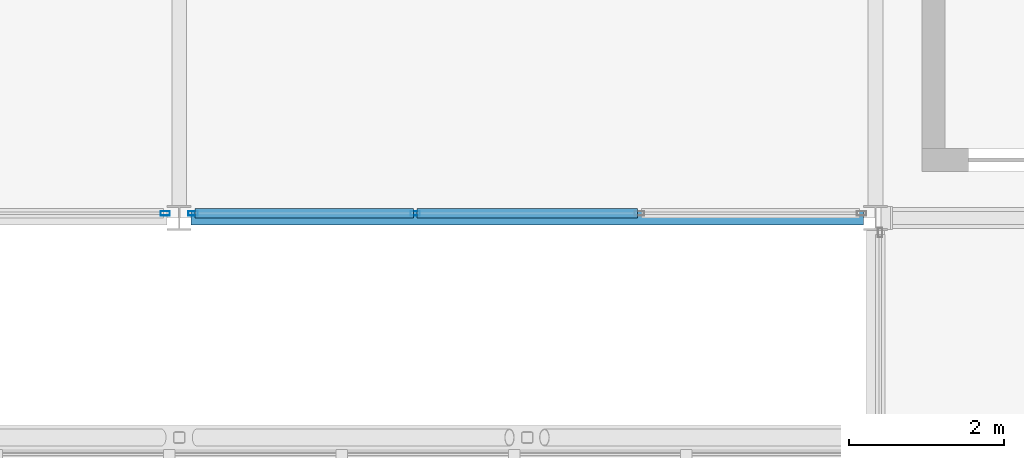
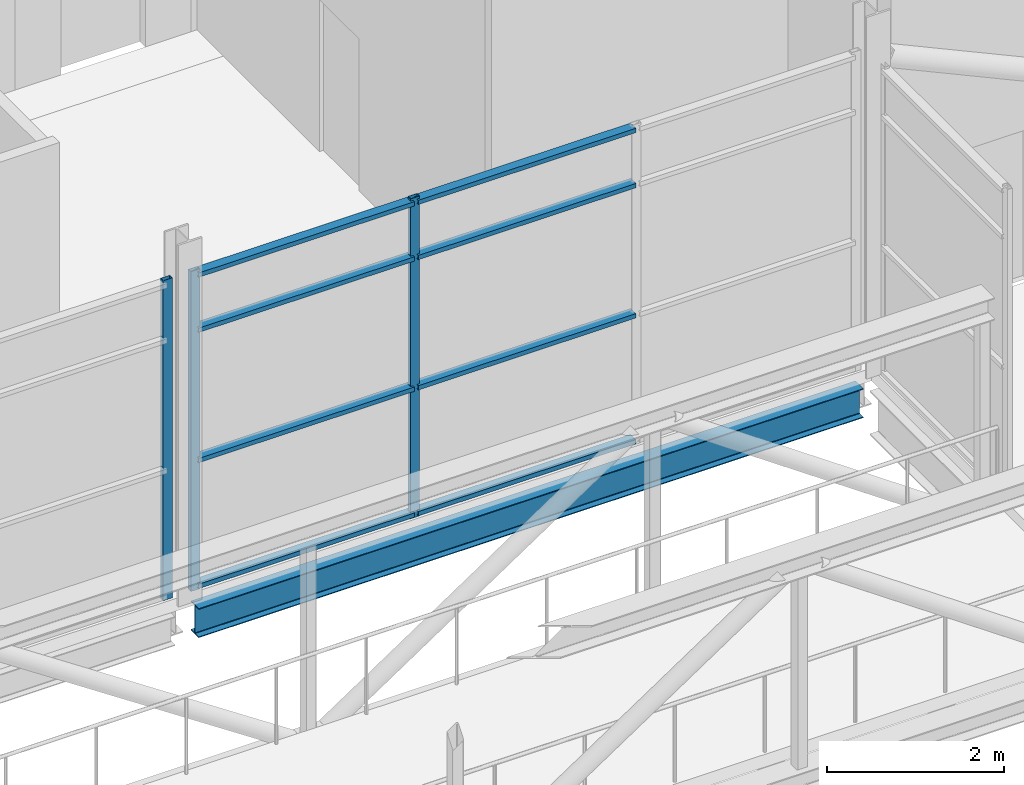
# One storey, part 67 of 115: 11 members, 1 beam, 2 elements without a shape of their own.
"""IFC4 building model written with IfcOpenShell, lengths in metres."""

from ifc_helpers import new_model, si_unit, direction, frame, origin, origin_2d, place, context, subcontext, project, spatial, hollow_rectangle, i_section, extrude, material, layer, layer_set, material_profile, profile_set, type_object, element, aggregate, save


model = new_model("IFC4")

# Units and contexts
model_context = context("Model", 3, precision=1e-05, world=origin(), true_north=direction((0.0, 1.0)))
body_context = subcontext(model_context, "Body", "Model", "MODEL_VIEW")
ifc_project = project(units=[si_unit("LENGTHUNIT", "METRE"), si_unit("AREAUNIT", "SQUARE_METRE"), si_unit("VOLUMEUNIT", "CUBIC_METRE"), si_unit("PLANEANGLEUNIT", "RADIAN"), si_unit("MASSUNIT", "GRAM", prefix="KILO")], contexts=[model_context])

# Site, building, storey
site_placement = place(None, origin())
site = spatial("IfcSite", under=ifc_project, at=site_placement, CompositionType="ELEMENT")
building_placement = place(site_placement, origin())
building = spatial("IfcBuilding", under=site, at=building_placement, Name="Shorebreak Coast Museum", CompositionType="ELEMENT")
storey_placement = place(building_placement, frame((0.0, 0.0, 11.0)))
storey = spatial("IfcBuildingStorey", under=building, at=storey_placement, Name="L02", CompositionType="ELEMENT", Elevation=11.0)

# Beam
ifc_material_1 = material(Name="Steel Grade 300", Category="steel")
ifc_material_profile_1 = material_profile(ifc_material_1, i_section(OverallWidth=0.177978515625, OverallDepth=0.402587890625, WebThickness=0.007568359375, FlangeThickness=0.010986328125, FilletRadius=0.011474609375, at=origin_2d()), Name="410UB53.7")
ifc_profile_set_1 = profile_set([ifc_material_profile_1], Name="Steel Grade 300")
beam_type = type_object("IfcBeamType", Name="Floor girder east-west 410UB53.7", PredefinedType="BEAM", material=ifc_profile_set_1)
beam_placement = place(storey_placement, frame((99.155517578125, 81.0, -0.376220703125), z_axis=(1.0, 0.0, 0.0), x_axis=(0.0, 1.0, 0.0)))
element("IfcBeam", 1, at=beam_placement, inside=storey, type_object=beam_type, Name="Floor girder east-west L02 12K", PredefinedType="BEAM", context=body_context, shape_type="SweptSolid", body=[
    extrude(i_section(OverallWidth=0.177978515625, OverallDepth=0.402587890625, WebThickness=0.007568359375, FlangeThickness=0.010986328125, FilletRadius=0.011474609375, at=origin_2d()), origin(), (0.0, 0.0, 1.0), 8.68896484375),
])

# Curtain wall, member
ifc_material_2 = material(Name="Aluminium", Category="aluminium")
ifc_layer = layer(ifc_material_2, 0.1201171875)
ifc_layer_set = layer_set([ifc_layer], Name="Aluminium")
curtain_wall_type = type_object("IfcCurtainWallType", Name="Atrium fire screen", PredefinedType="NOTDEFINED", material=ifc_layer_set)
curtain_wall_1_placement = place(storey_placement, origin())
curtain_wall_1 = element("IfcCurtainWall", 2, at=curtain_wall_1_placement, inside=storey, type_object=curtain_wall_type, Name="Atrium screen L02 N 25", PredefinedType="NOTDEFINED")
ifc_material_3 = material(Name="Aluminium", Category="aluminium")
ifc_material_profile_2 = material_profile(ifc_material_3, hollow_rectangle(XDim=0.06005859375, YDim=0.1201171875, WallThickness=0.00341796875, at=origin_2d()), Name="AL 120x60 RHS")
ifc_profile_set_2 = profile_set([ifc_material_profile_2], Name="Aluminium")
member_type_1 = type_object("IfcMemberType", Name="Screen mullion 50 x 120", PredefinedType="MULLION", material=ifc_profile_set_2)
member_1_placement = place(storey_placement, frame((98.819580078125, 81.06005859375, 0.0), z_axis=(0.0, 0.0, 1.0), x_axis=(0.0, 1.0, 0.0)))
member_1 = element("IfcMember", 3, at=member_1_placement, type_object=member_type_1, Name="CW5 mullion 4", PredefinedType="MULLION", context=body_context, shape_type="SweptSolid", body=[
    extrude(hollow_rectangle(XDim=0.06005859375, YDim=0.1201171875, WallThickness=0.00341796875, at=origin_2d()), origin(), (0.0, 0.0, 1.0), 4.42236328125),
])
aggregate(curtain_wall_1, [member_1])

# Curtain wall, members
curtain_wall_2_placement = place(storey_placement, origin())
curtain_wall_2 = element("IfcCurtainWall", 4, at=curtain_wall_2_placement, inside=storey, type_object=curtain_wall_type, Name="Atrium screen L02 N 26", PredefinedType="NOTDEFINED")
member_2_placement = place(storey_placement, frame((99.180419921875, 81.06005859375, 0.0), z_axis=(0.0, 0.0, 1.0), x_axis=(0.0, 1.0, 0.0)))
member_2 = element("IfcMember", 5, at=member_2_placement, type_object=member_type_1, Name="CW6 mullion 1", PredefinedType="MULLION", context=body_context, shape_type="SweptSolid", body=[
    extrude(hollow_rectangle(XDim=0.06005859375, YDim=0.1201171875, WallThickness=0.00341796875, at=origin_2d()), origin(), (0.0, 0.0, 1.0), 4.42236328125),
])
member_3_placement = place(storey_placement, frame((102.0517578125, 81.06005859375, 0.0), z_axis=(0.0, 0.0, 1.0), x_axis=(0.0, 1.0, 0.0)))
member_3 = element("IfcMember", 6, at=member_3_placement, type_object=member_type_1, Name="CW6 mullion 2", PredefinedType="MULLION", context=body_context, shape_type="SweptSolid", body=[
    extrude(hollow_rectangle(XDim=0.06005859375, YDim=0.1201171875, WallThickness=0.00341796875, at=origin_2d()), origin(), (0.0, 0.0, 1.0), 4.42236328125),
])
ifc_material_4 = material(Name="Aluminium", Category="aluminium")
ifc_material_profile_3 = material_profile(ifc_material_4, hollow_rectangle(XDim=0.1201171875, YDim=0.06005859375, WallThickness=0.00341796875, at=origin_2d()), Name="AL 60x120 RHS")
ifc_profile_set_3 = profile_set([ifc_material_profile_3], Name="Aluminium")
member_type_2 = type_object("IfcMemberType", Name="Screen transom 120 x 50", PredefinedType="USERDEFINED", material=ifc_profile_set_3)
member_4_placement = place(storey_placement, frame((99.20556640625, 81.06005859375, 0.06005859375), z_axis=(1.0, 0.0, 0.0), x_axis=(0.0, 1.0, 0.0)))
member_4 = element("IfcMember", 7, at=member_4_placement, type_object=member_type_2, Name="CW6 transom 1.1", ObjectType="TRANSOM", PredefinedType="USERDEFINED", context=body_context, shape_type="SweptSolid", body=[
    extrude(hollow_rectangle(XDim=0.1201171875, YDim=0.06005859375, WallThickness=0.00341796875, at=origin_2d()), origin(), (0.0, 0.0, 1.0), 2.8212890625),
])
member_5_placement = place(storey_placement, frame((99.20556640625, 81.06005859375, 1.800048828125), z_axis=(1.0, 0.0, 0.0), x_axis=(0.0, 1.0, 0.0)))
member_5 = element("IfcMember", 8, at=member_5_placement, type_object=member_type_2, Name="CW6 transom 1.2", ObjectType="TRANSOM", PredefinedType="USERDEFINED", context=body_context, shape_type="SweptSolid", body=[
    extrude(hollow_rectangle(XDim=0.1201171875, YDim=0.06005859375, WallThickness=0.00341796875, at=origin_2d()), origin(), (0.0, 0.0, 1.0), 2.8212890625),
])
member_6_placement = place(storey_placement, frame((99.20556640625, 81.06005859375, 3.60009765625), z_axis=(1.0, 0.0, 0.0), x_axis=(0.0, 1.0, 0.0)))
member_6 = element("IfcMember", 9, at=member_6_placement, type_object=member_type_2, Name="CW6 transom 1.3", ObjectType="TRANSOM", PredefinedType="USERDEFINED", context=body_context, shape_type="SweptSolid", body=[
    extrude(hollow_rectangle(XDim=0.1201171875, YDim=0.06005859375, WallThickness=0.00341796875, at=origin_2d()), origin(), (0.0, 0.0, 1.0), 2.8212890625),
])
member_7_placement = place(storey_placement, frame((99.20556640625, 81.06005859375, 4.3623046875), z_axis=(1.0, 0.0, 0.0), x_axis=(0.0, 1.0, 0.0)))
member_7 = element("IfcMember", 10, at=member_7_placement, type_object=member_type_2, Name="CW6 transom 1.4", ObjectType="TRANSOM", PredefinedType="USERDEFINED", context=body_context, shape_type="SweptSolid", body=[
    extrude(hollow_rectangle(XDim=0.1201171875, YDim=0.06005859375, WallThickness=0.00341796875, at=origin_2d()), origin(), (0.0, 0.0, 1.0), 2.8212890625),
])
member_8_placement = place(storey_placement, frame((102.076904296875, 81.06005859375, 0.06005859375), z_axis=(1.0, 0.0, 0.0), x_axis=(0.0, 1.0, 0.0)))
member_8 = element("IfcMember", 11, at=member_8_placement, type_object=member_type_2, Name="CW6 transom 2.1", ObjectType="TRANSOM", PredefinedType="USERDEFINED", context=body_context, shape_type="SweptSolid", body=[
    extrude(hollow_rectangle(XDim=0.1201171875, YDim=0.06005859375, WallThickness=0.00341796875, at=origin_2d()), origin(), (0.0, 0.0, 1.0), 2.84619140625),
])
member_9_placement = place(storey_placement, frame((102.076904296875, 81.06005859375, 1.800048828125), z_axis=(1.0, 0.0, 0.0), x_axis=(0.0, 1.0, 0.0)))
member_9 = element("IfcMember", 12, at=member_9_placement, type_object=member_type_2, Name="CW6 transom 2.2", ObjectType="TRANSOM", PredefinedType="USERDEFINED", context=body_context, shape_type="SweptSolid", body=[
    extrude(hollow_rectangle(XDim=0.1201171875, YDim=0.06005859375, WallThickness=0.00341796875, at=origin_2d()), origin(), (0.0, 0.0, 1.0), 2.84619140625),
])
member_10_placement = place(storey_placement, frame((102.076904296875, 81.06005859375, 3.60009765625), z_axis=(1.0, 0.0, 0.0), x_axis=(0.0, 1.0, 0.0)))
member_10 = element("IfcMember", 13, at=member_10_placement, type_object=member_type_2, Name="CW6 transom 2.3", ObjectType="TRANSOM", PredefinedType="USERDEFINED", context=body_context, shape_type="SweptSolid", body=[
    extrude(hollow_rectangle(XDim=0.1201171875, YDim=0.06005859375, WallThickness=0.00341796875, at=origin_2d()), origin(), (0.0, 0.0, 1.0), 2.84619140625),
])
member_11_placement = place(storey_placement, frame((102.076904296875, 81.06005859375, 4.3623046875), z_axis=(1.0, 0.0, 0.0), x_axis=(0.0, 1.0, 0.0)))
member_11 = element("IfcMember", 14, at=member_11_placement, type_object=member_type_2, Name="CW6 transom 2.4", ObjectType="TRANSOM", PredefinedType="USERDEFINED", context=body_context, shape_type="SweptSolid", body=[
    extrude(hollow_rectangle(XDim=0.1201171875, YDim=0.06005859375, WallThickness=0.00341796875, at=origin_2d()), origin(), (0.0, 0.0, 1.0), 2.84619140625),
])
aggregate(curtain_wall_2, [member_2, member_3, member_4, member_5, member_6, member_7, member_8, member_9, member_10, member_11])

save(model, "model.ifc")
